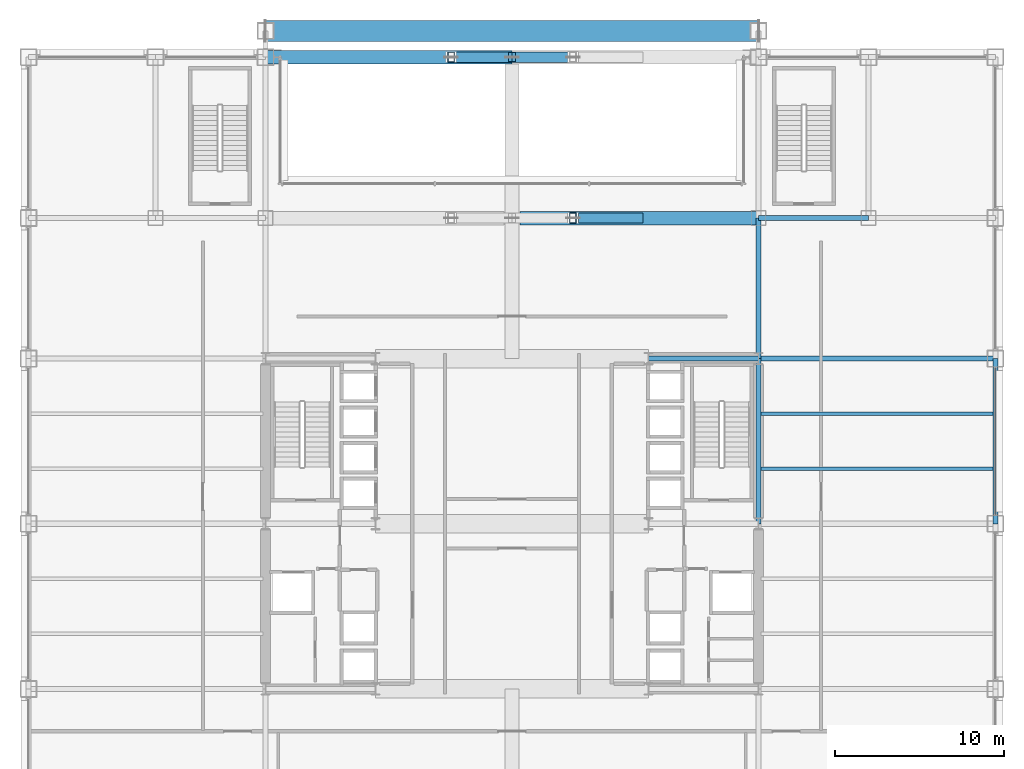
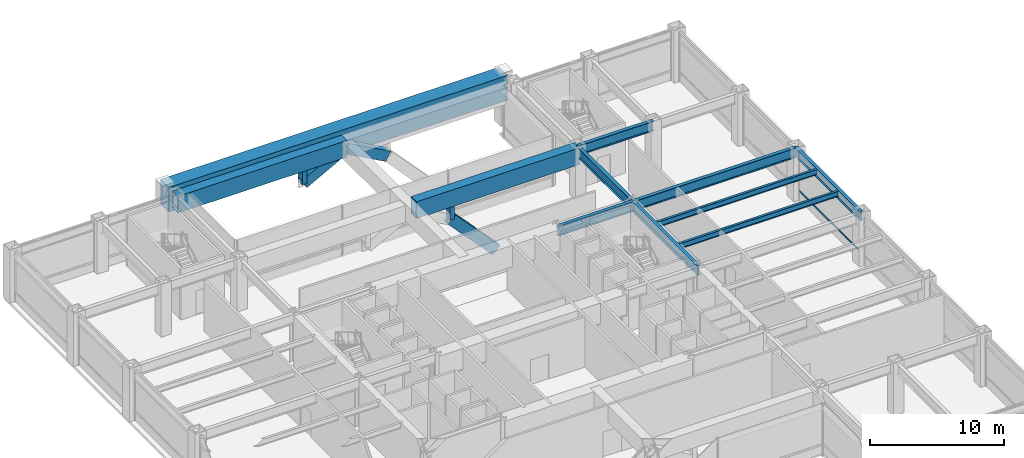
# One storey, part 19 of 37: 11 beams, 6 members, 1 element without a shape of its own.
"""IFC4 building model written with IfcOpenShell, lengths in metres."""

from ifc_helpers import new_model, si_unit, direction, frame, origin, origin_2d, place, context, subcontext, project, spatial, hollow_rectangle, i_section, extrude, material, layer, layer_set, material_profile, profile_set, type_object, element, aggregate, save


model = new_model("IFC4")

# Units and contexts
model_context = context("Model", 3, precision=1e-05, world=origin(), true_north=direction((0.0, 1.0)))
body_context = subcontext(model_context, "Body", "Model", "MODEL_VIEW")
ifc_project = project(units=[si_unit("LENGTHUNIT", "METRE"), si_unit("AREAUNIT", "SQUARE_METRE"), si_unit("VOLUMEUNIT", "CUBIC_METRE"), si_unit("PLANEANGLEUNIT", "RADIAN"), si_unit("MASSUNIT", "GRAM", prefix="KILO")], contexts=[model_context])

# Site, building, storey
site_placement = place(None, origin())
site = spatial("IfcSite", under=ifc_project, at=site_placement, CompositionType="ELEMENT")
building_placement = place(site_placement, origin())
building = spatial("IfcBuilding", under=site, at=building_placement, Name="Brelmoor Portico Tower", CompositionType="ELEMENT")
storey_placement = place(building_placement, frame((0.0, 0.0, 14.39990234375)))
storey = spatial("IfcBuildingStorey", under=building, at=storey_placement, Name="L03", CompositionType="ELEMENT", Elevation=14.39990234375)

# Beams
ifc_material_1 = material(Name="Steel Q420B", Category="steel")
ifc_material_profile_1 = material_profile(ifc_material_1, hollow_rectangle(XDim=1.25, YDim=2.25, WallThickness=0.054931640625, at=origin_2d()), Name="BOX 1250x2250x55")
ifc_profile_set_1 = profile_set([ifc_material_profile_1], Name="Steel Q420B")
beam_type_1 = type_object("IfcBeamType", Name="BM-EPHDR-2250", PredefinedType="BEAM", material=ifc_profile_set_1)
beam_1_placement = place(storey_placement, frame((-14.550048828125, 29.10009765625, 3.455078125), z_axis=(1.0, 0.0, 0.0), x_axis=(0.0, 1.0, 0.0)))
element("IfcBeam", 1, at=beam_1_placement, inside=storey, type_object=beam_type_1, Name="L03 Giant Arch Entrance Portal Header Beam N", PredefinedType="BEAM", context=body_context, shape_type="SweptSolid", body=[
    extrude(hollow_rectangle(XDim=1.25, YDim=2.25, WallThickness=0.054931640625, at=origin_2d()), origin(), (0.0, 0.0, 1.0), 29.10009765625),
])
ifc_material_2 = material(Name="Steel Q355B", Category="steel")
ifc_material_profile_2 = material_profile(ifc_material_2, i_section(OverallWidth=0.199951171875, OverallDepth=0.5, WebThickness=0.010009765625, FlangeThickness=0.01611328125, at=origin_2d()), Name="HN 500x200x10x16")
ifc_profile_set_2 = profile_set([ifc_material_profile_2], Name="Steel Q355B")
beam_type_2 = type_object("IfcBeamType", Name="BM-JS-500", PredefinedType="JOIST", material=ifc_profile_set_2)
for number, where, z_axis, x_axis, name in (
    (2, (14.699951171875, 3.25, 4.330078125), (1.0, 0.0, 0.0), (0.0, 1.0, 0.0), "L03 Secondary Wing Joist JS-E07"),
    (3, (14.699951171875, 6.5, 4.330078125), (1.0, 0.0, 0.0), (0.0, 1.0, 0.0), "L03 Secondary Wing Joist JS-E08"),
):
    element("IfcBeam", number, at=place(storey_placement, frame(where, z_axis=z_axis, x_axis=x_axis)), inside=storey, type_object=beam_type_2, Name=name, PredefinedType="JOIST", context=body_context, shape_type="SweptSolid", body=[
        extrude(i_section(OverallWidth=0.199951171875, OverallDepth=0.5, WebThickness=0.010009765625, FlangeThickness=0.01611328125, at=origin_2d()), origin(), (0.0, 0.0, 1.0), 13.699951171875),
    ])
ifc_material_profile_3 = material_profile(ifc_material_2, i_section(OverallWidth=0.300048828125, OverallDepth=0.89990234375, WebThickness=0.01611328125, FlangeThickness=0.028076171875, at=origin_2d()), Name="HN 900x300x16x28")
ifc_profile_set_3 = profile_set([ifc_material_profile_3], Name="Steel Q355B")
beam_type_3 = type_object("IfcBeamType", Name="BM-PG-900", PredefinedType="BEAM", material=ifc_profile_set_3)
beam_2_placement = place(storey_placement, frame((14.550048828125, 0.0, 4.130126953125), z_axis=(0.0, 1.0, 0.0), x_axis=(-1.0, 0.0, 0.0)))
element("IfcBeam", 4, at=beam_2_placement, inside=storey, type_object=beam_type_3, Name="L03 Primary Floor Girder PG-15", PredefinedType="BEAM", context=body_context, shape_type="SweptSolid", body=[
    extrude(i_section(OverallWidth=0.300048828125, OverallDepth=0.89990234375, WebThickness=0.01611328125, FlangeThickness=0.028076171875, at=origin_2d()), origin(), (0.0, 0.0, 1.0), 9.75),
])
beam_3_placement = place(storey_placement, frame((14.550048828125, 9.75, 4.130126953125), z_axis=(0.0, 1.0, 0.0), x_axis=(-1.0, 0.0, 0.0)))
element("IfcBeam", 5, at=beam_3_placement, inside=storey, type_object=beam_type_3, Name="L03 Primary Floor Girder PG-16", PredefinedType="BEAM", context=body_context, shape_type="SweptSolid", body=[
    extrude(i_section(OverallWidth=0.300048828125, OverallDepth=0.89990234375, WebThickness=0.01611328125, FlangeThickness=0.028076171875, at=origin_2d()), origin(), (0.0, 0.0, 1.0), 8.300048828125),
])
beam_4_placement = place(storey_placement, frame((8.050048828125, 9.75, 4.130126953125), z_axis=(1.0, 0.0, 0.0), x_axis=(0.0, 1.0, 0.0)))
element("IfcBeam", 6, at=beam_4_placement, inside=storey, type_object=beam_type_3, Name="L03 Primary Floor Girder PG-38", PredefinedType="BEAM", context=body_context, shape_type="SweptSolid", body=[
    extrude(i_section(OverallWidth=0.300048828125, OverallDepth=0.89990234375, WebThickness=0.01611328125, FlangeThickness=0.028076171875, at=origin_2d()), origin(), (0.0, 0.0, 1.0), 6.5),
])
beam_5_placement = place(storey_placement, frame((14.550048828125, 9.75, 4.130126953125), z_axis=(1.0, 0.0, 0.0), x_axis=(0.0, 1.0, 0.0)))
element("IfcBeam", 7, at=beam_5_placement, inside=storey, type_object=beam_type_3, Name="L03 Primary Floor Girder PG-39", PredefinedType="BEAM", context=body_context, shape_type="SweptSolid", body=[
    extrude(i_section(OverallWidth=0.300048828125, OverallDepth=0.89990234375, WebThickness=0.01611328125, FlangeThickness=0.028076171875, at=origin_2d()), origin(), (0.0, 0.0, 1.0), 14.0),
])
beam_6_placement = place(storey_placement, frame((14.550048828125, 18.050048828125, 4.130126953125), z_axis=(1.0, 0.0, 0.0), x_axis=(0.0, 1.0, 0.0)))
element("IfcBeam", 8, at=beam_6_placement, inside=storey, type_object=beam_type_3, Name="L03 Primary Floor Girder PG-42", PredefinedType="BEAM", context=body_context, shape_type="SweptSolid", body=[
    extrude(i_section(OverallWidth=0.300048828125, OverallDepth=0.89990234375, WebThickness=0.01611328125, FlangeThickness=0.028076171875, at=origin_2d()), origin(), (0.0, 0.0, 1.0), 6.5),
])
ifc_material_profile_4 = material_profile(ifc_material_2, i_section(OverallWidth=0.300048828125, OverallDepth=0.800048828125, WebThickness=0.013916015625, FlangeThickness=0.02587890625, at=origin_2d()), Name="HN 800x300x14x26")
ifc_profile_set_4 = profile_set([ifc_material_profile_4], Name="Steel Q355B")
beam_type_4 = type_object("IfcBeamType", Name="BM-SP-800", PredefinedType="SPANDREL", material=ifc_profile_set_4)
beam_7_placement = place(storey_placement, frame((28.550048828125, 0.0, 4.18017578125), z_axis=(0.0, 1.0, 0.0), x_axis=(-1.0, 0.0, 0.0)))
element("IfcBeam", 9, at=beam_7_placement, inside=storey, type_object=beam_type_4, Name="L03 Perimeter Spandrel Beam SP-20", PredefinedType="SPANDREL", context=body_context, shape_type="SweptSolid", body=[
    extrude(i_section(OverallWidth=0.300048828125, OverallDepth=0.800048828125, WebThickness=0.013916015625, FlangeThickness=0.02587890625, at=origin_2d()), origin(), (0.0, 0.0, 1.0), 9.75),
])
ifc_material_profile_5 = material_profile(ifc_material_1, hollow_rectangle(XDim=0.800048828125, YDim=1.52001953125, WallThickness=0.044921875, at=origin_2d()), Name="BOX 800x1520x45")
ifc_profile_set_5 = profile_set([ifc_material_profile_5], Name="Steel Q420B")
beam_type_5 = type_object("IfcBeamType", Name="BM-TG-TIE", PredefinedType="BEAM", material=ifc_profile_set_5)
beam_8_placement = place(storey_placement, frame((0.47998046875, 18.050048828125, 3.820068359375), z_axis=(1.0, 0.0, 0.0), x_axis=(0.0, 1.0, 0.0)))
element("IfcBeam", 10, at=beam_8_placement, inside=storey, type_object=beam_type_5, Name="L03 Giant Arch Bridge Transfer Box Girder N2E", PredefinedType="BEAM", context=body_context, shape_type="SweptSolid", body=[
    extrude(hollow_rectangle(XDim=0.800048828125, YDim=1.52001953125, WallThickness=0.044921875, at=origin_2d()), origin(), (0.0, 0.0, 1.0), 14.070068359375),
])
beam_9_placement = place(storey_placement, frame((-14.550048828125, 27.550048828125, 3.820068359375), z_axis=(1.0, 0.0, 0.0), x_axis=(0.0, 1.0, 0.0)))
element("IfcBeam", 11, at=beam_9_placement, inside=storey, type_object=beam_type_5, Name="L03 Giant Arch Bridge Transfer Box Girder N1W", PredefinedType="BEAM", context=body_context, shape_type="SweptSolid", body=[
    extrude(hollow_rectangle(XDim=0.800048828125, YDim=1.52001953125, WallThickness=0.044921875, at=origin_2d()), origin(), (0.0, 0.0, 1.0), 14.550048828125),
])

# Members
ifc_material_profile_6 = material_profile(ifc_material_1, hollow_rectangle(XDim=0.60009765625, YDim=0.89990234375, WallThickness=0.035888671875, at=origin_2d()), Name="RHS 600x900x36")
ifc_profile_set_6 = profile_set([ifc_material_profile_6], Name="Steel Q420B")
member_type_1 = type_object("IfcMemberType", Name="MB-ARCH-RIB", PredefinedType="CHORD", material=ifc_profile_set_6)
member_1_placement = place(storey_placement, frame((3.60009765625, 18.050048828125, 1.800048828125), z_axis=(0.679758934969, 0.0, -0.733435607487), x_axis=(0.0, 1.0, 0.0)))
element("IfcMember", 12, at=member_1_placement, inside=storey, type_object=member_type_1, Name="Giant Portico Arch Rib N2-6", PredefinedType="CHORD", context=body_context, shape_type="SweptSolid", body=[
    extrude(hollow_rectangle(XDim=0.60009765625, YDim=0.89990234375, WallThickness=0.035888671875, at=origin_2d()), origin(), (0.0, 0.0, 1.0), 5.58984375),
])
for number, where, z_axis, x_axis, name in (
    (13, (-3.60009765625, 27.550048828125, 1.800048828125), (0.878777744098, 0.0, 0.477231261002), (0.0, 1.0, 0.0), "Giant Portico Arch Rib N1-4"),
    (14, (0.0, 27.550048828125, 3.755126953125), (0.878777744098, 0.0, -0.477231261002), (0.0, 1.0, 0.0), "Giant Portico Arch Rib N1-5"),
):
    element("IfcMember", number, at=place(storey_placement, frame(where, z_axis=z_axis, x_axis=x_axis)), inside=storey, type_object=member_type_1, Name=name, PredefinedType="CHORD", context=body_context, shape_type="SweptSolid", body=[
        extrude(hollow_rectangle(XDim=0.60009765625, YDim=0.89990234375, WallThickness=0.035888671875, at=origin_2d()), origin(), (0.0, 0.0, 1.0), 4.0966796875),
    ])
ifc_material_profile_7 = material_profile(ifc_material_2, hollow_rectangle(XDim=0.39990234375, YDim=0.60009765625, WallThickness=0.02392578125, at=origin_2d()), Name="RHS 400x600x24")
ifc_profile_set_7 = profile_set([ifc_material_profile_7], Name="Steel Q355B")
member_type_2 = type_object("IfcMemberType", Name="MB-ARCH-STRUT", PredefinedType="BRACE", material=ifc_profile_set_7)
for number, where, z_axis, x_axis, name in (
    (15, (3.60009765625, 18.050048828125, 1.800048828125), (0.0, 0.0, 1.0), (1.0, 0.0, 0.0), "Portico Arch Spandrel Strut N2-4"),
    (16, (-3.60009765625, 27.550048828125, 1.800048828125), (0.0, 0.0, 1.0), (1.0, 0.0, 0.0), "Portico Arch Spandrel Strut N1-3"),
):
    element("IfcMember", number, at=place(storey_placement, frame(where, z_axis=z_axis, x_axis=x_axis)), inside=storey, type_object=member_type_2, Name=name, PredefinedType="BRACE", context=body_context, shape_type="SweptSolid", body=[
        extrude(hollow_rectangle(XDim=0.39990234375, YDim=0.60009765625, WallThickness=0.02392578125, at=origin_2d()), origin(), (0.0, 0.0, 1.0), 1.955078125),
    ])

# Curtain wall, member
ifc_material_3 = material(Name="Anodised Aluminium Alloy 6063-T6", Category="aluminium")
ifc_layer = layer(ifc_material_3, 0.179931640625)
ifc_layer_set = layer_set([ifc_layer], Name="Anodised Aluminium Alloy 6063-T6")
curtain_wall_type = type_object("IfcCurtainWallType", Name="CW-PODIUM-ARCH", PredefinedType="NOTDEFINED", material=ifc_layer_set)
curtain_wall_placement = place(storey_placement, origin())
curtain_wall = element("IfcCurtainWall", 17, at=curtain_wall_placement, inside=storey, type_object=curtain_wall_type, Name="L03 Curtain Wall CW-L03-12-4", PredefinedType="NOTDEFINED")
ifc_material_profile_8 = material_profile(ifc_material_3, hollow_rectangle(XDim=0.070068359375, YDim=0.159912109375, WallThickness=0.00390625, at=origin_2d()), Name="ALU TRANSOM 70x160")
ifc_profile_set_8 = profile_set([ifc_material_profile_8], Name="Anodised Aluminium Alloy 6063-T6")
member_type_3 = type_object("IfcMemberType", Name="MB-CW-TRAN-160", PredefinedType="USERDEFINED", material=ifc_profile_set_8)
member_2_placement = place(storey_placement, frame((28.550048828125, 0.510009765625, 0.85009765625), z_axis=(0.0, 1.0, 0.0), x_axis=(-1.0, 0.0, 0.0)))
member_2 = element("IfcMember", 18, at=member_2_placement, type_object=member_type_3, Name="CW-L03-12-4 Transom 1-00", ObjectType="TRANSOM", PredefinedType="USERDEFINED", context=body_context, shape_type="SweptSolid", body=[
    extrude(hollow_rectangle(XDim=0.070068359375, YDim=0.159912109375, WallThickness=0.00390625, at=origin_2d()), origin(), (0.0, 0.0, 1.0), 8.72998046875),
])
aggregate(curtain_wall, [member_2])

save(model, "model.ifc")
